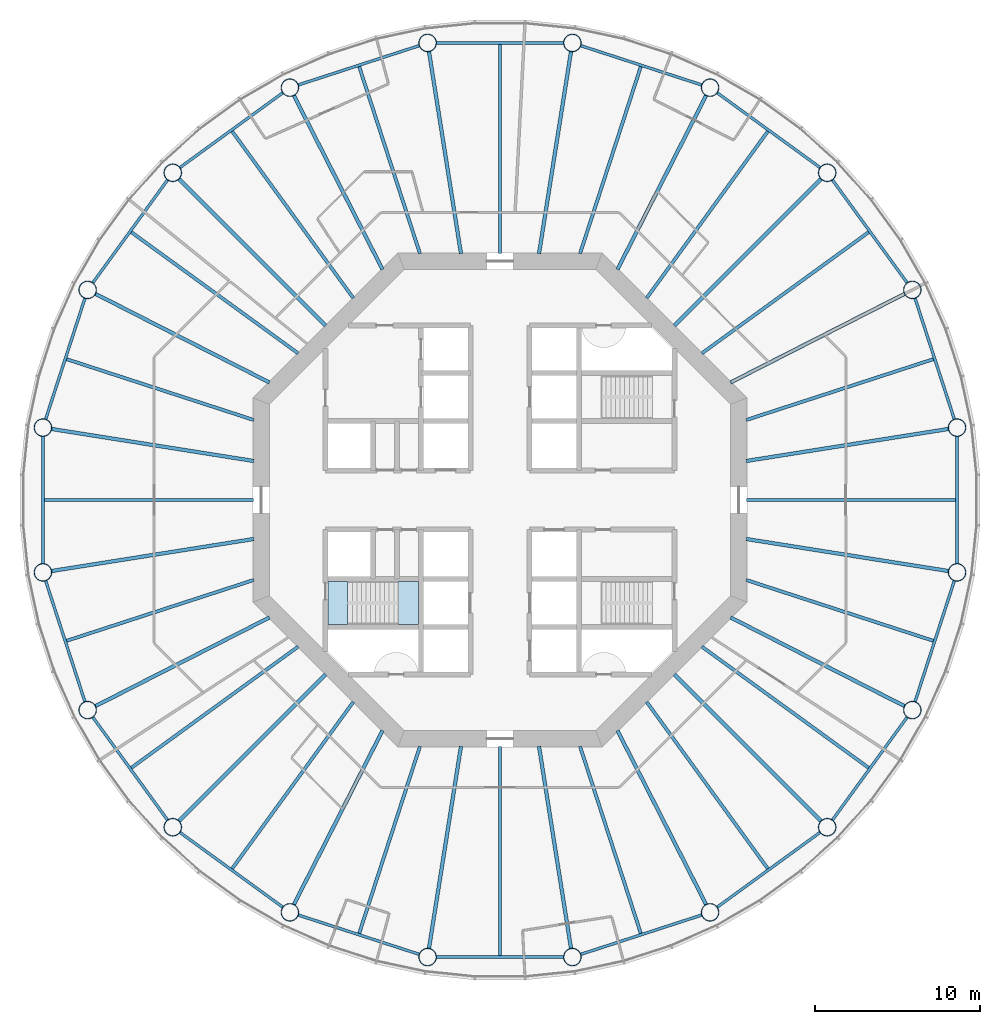
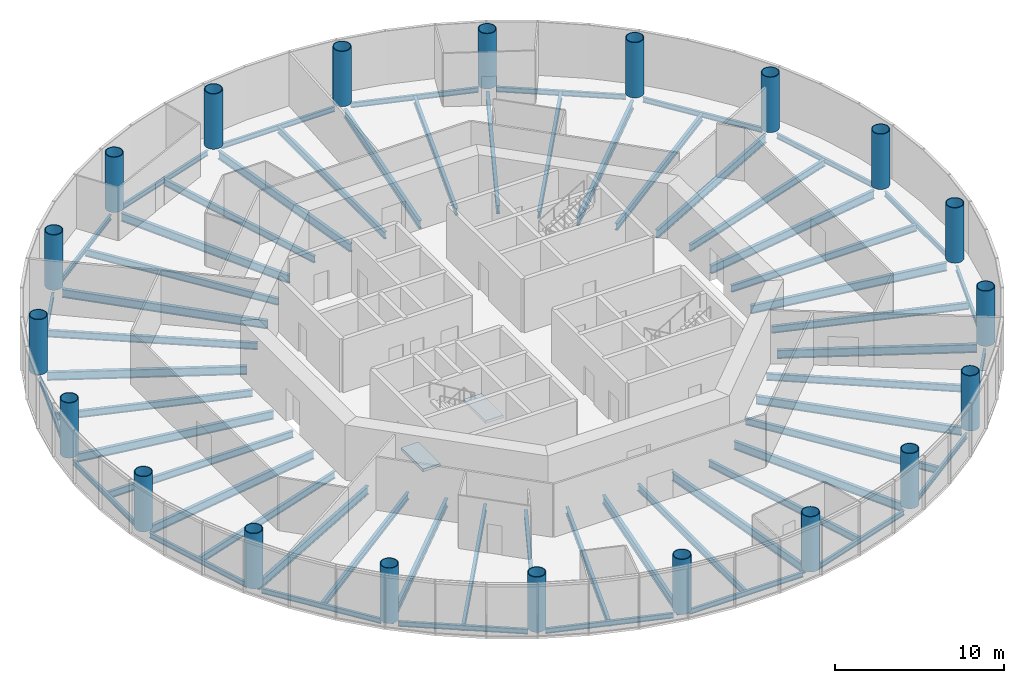
# One storey, part 1 of 13: 60 beams, 20 columns, 2 slabs, 1 element without a shape of its own.
"""IFC4 building model written with IfcOpenShell, lengths in metres."""

from ifc_helpers import new_model, si_unit, direction, frame, origin, origin_2d, place, context, subcontext, project, spatial, polyline, circle, hollow_circle, i_section, outline, extrude, material, layer, layer_set, material_profile, profile_set, type_object, element, aggregate, save


model = new_model("IFC4")

# Units and contexts
model_context = context("Model", 3, precision=1e-05, world=origin(), true_north=direction((0.0, 1.0)))
body_context = subcontext(model_context, "Body", "Model", "MODEL_VIEW")
ifc_project = project(units=[si_unit("LENGTHUNIT", "METRE"), si_unit("AREAUNIT", "SQUARE_METRE"), si_unit("VOLUMEUNIT", "CUBIC_METRE"), si_unit("PLANEANGLEUNIT", "RADIAN"), si_unit("MASSUNIT", "GRAM", prefix="KILO")], contexts=[model_context])

# Site, building, storey
site_placement = place(None, origin())
site = spatial("IfcSite", under=ifc_project, at=site_placement, CompositionType="ELEMENT")
building_placement = place(site_placement, origin())
building = spatial("IfcBuilding", under=site, at=building_placement, Name="Entoto Ring Tower", CompositionType="ELEMENT")
storey_placement = place(building_placement, frame((0.0, 0.0, 156.0)))
storey = spatial("IfcBuildingStorey", under=building, at=storey_placement, Name="L35", CompositionType="ELEMENT", Elevation=156.0)

# Columns
ifc_material_1 = material(Name="Steel S355", Category="steel")
ifc_material_profile_1 = material_profile(ifc_material_1, hollow_circle(Radius=0.550048828125, WallThickness=0.050048828125, at=origin_2d()), Name="CHS 1100 x 50")
ifc_material_2 = material(Name="Concrete C60/75", Category="concrete")
ifc_material_profile_2 = material_profile(ifc_material_2, circle(Radius=0.5, at=origin_2d()), Name="Concrete C60/75 infill")
ifc_profile_set_1 = profile_set([ifc_material_profile_1, ifc_material_profile_2], Name="Steel S355")
column_type = type_object("IfcColumnType", Name="Ring column 1100 x 50 concrete-filled tube", PredefinedType="COLUMN", material=ifc_profile_set_1)
for number, where, z_axis, x_axis, name in (
    (1, (117.754150390625, 84.395751953125, 0.0), (0.0, 0.0, 1.0), (1.0, 0.0, 0.0), "RC3 R01"),
    (2, (115.037353515625, 92.757080078125, 0.0), (0.0, 0.0, 1.0), (1.0, 0.0, 0.0), "RC3 R02"),
    (3, (109.86962890625, 99.86962890625, 0.0), (0.0, 0.0, 1.0), (1.0, 0.0, 0.0), "RC3 R03"),
    (4, (102.757080078125, 105.037353515625, 0.0), (0.0, 0.0, 1.0), (1.0, 0.0, 0.0), "RC3 R04"),
    (5, (94.395751953125, 107.754150390625, 0.0), (0.0, 0.0, 1.0), (1.0, 0.0, 0.0), "RC3 R05"),
    (6, (85.604248046875, 107.754150390625, 0.0), (0.0, 0.0, 1.0), (1.0, 0.0, 0.0), "RC3 R06"),
    (7, (77.242919921875, 105.037353515625, 0.0), (0.0, 0.0, 1.0), (1.0, 0.0, 0.0), "RC3 R07"),
    (8, (70.13037109375, 99.86962890625, 0.0), (0.0, 0.0, 1.0), (1.0, 0.0, 0.0), "RC3 R08"),
    (9, (64.962646484375, 92.757080078125, 0.0), (0.0, 0.0, 1.0), (1.0, 0.0, 0.0), "RC3 R09"),
    (10, (62.245849609375, 84.395751953125, 0.0), (0.0, 0.0, 1.0), (1.0, 0.0, 0.0), "RC3 R10"),
    (11, (62.245849609375, 75.604248046875, 0.0), (0.0, 0.0, 1.0), (1.0, 0.0, 0.0), "RC3 R11"),
    (12, (64.962646484375, 67.242919921875, 0.0), (0.0, 0.0, 1.0), (1.0, 0.0, 0.0), "RC3 R12"),
    (13, (70.13037109375, 60.13037109375, 0.0), (0.0, 0.0, 1.0), (1.0, 0.0, 0.0), "RC3 R13"),
    (14, (77.242919921875, 54.962646484375, 0.0), (0.0, 0.0, 1.0), (1.0, 0.0, 0.0), "RC3 R14"),
    (15, (85.604248046875, 52.245849609375, 0.0), (0.0, 0.0, 1.0), (1.0, 0.0, 0.0), "RC3 R15"),
    (16, (94.395751953125, 52.245849609375, 0.0), (0.0, 0.0, 1.0), (1.0, 0.0, 0.0), "RC3 R16"),
    (17, (102.757080078125, 54.962646484375, 0.0), (0.0, 0.0, 1.0), (1.0, 0.0, 0.0), "RC3 R17"),
    (18, (109.86962890625, 60.13037109375, 0.0), (0.0, 0.0, 1.0), (1.0, 0.0, 0.0), "RC3 R18"),
    (19, (115.037353515625, 67.242919921875, 0.0), (0.0, 0.0, 1.0), (1.0, 0.0, 0.0), "RC3 R19"),
    (20, (117.754150390625, 75.604248046875, 0.0), (0.0, 0.0, 1.0), (1.0, 0.0, 0.0), "RC3 R20"),
):
    element("IfcColumn", number, at=place(storey_placement, frame(where, z_axis=z_axis, x_axis=x_axis)), inside=storey, type_object=column_type, Name=name, PredefinedType="COLUMN", context=body_context, shape_type="SweptSolid", body=[
        extrude(hollow_circle(Radius=0.550048828125, WallThickness=0.050048828125, at=origin_2d()), origin(), (0.0, 0.0, 1.0), 4.0),
    ])

# Beams
ifc_material_3 = material(Name="Steel S355", Category="steel")
ifc_material_profile_3 = material_profile(ifc_material_3, i_section(OverallWidth=0.169921875, OverallDepth=0.360107421875, WebThickness=0.008056640625, FlangeThickness=0.0126953125, FilletRadius=0.01806640625, at=origin_2d()), Name="IPE 360")
ifc_profile_set_2 = profile_set([ifc_material_profile_3], Name="Steel S355")
beam_type_1 = type_object("IfcBeamType", Name="Edge beam IPE 360", PredefinedType="SPANDREL", material=ifc_profile_set_2)
for number, where, z_axis, x_axis, name in (
    (21, (117.59228515625, 84.8935546875, -0.330078125), (-0.309012656105, 0.951057925874, 0.0), (-0.951057925874, -0.309012656105, 0.0), "Edge beam L35 01"),
    (22, (114.729736328125, 93.180419921875, -0.330078125), (-0.587791153253, 0.809012707043, 0.0), (-0.809012707043, -0.587791153253, 0.0), "Edge beam L35 02"),
    (23, (109.4462890625, 100.17724609375, -0.330078125), (-0.809012707043, 0.587791153253, 0.0), (-0.587791153253, -0.809012707043, 0.0), "Edge beam L35 03"),
    (24, (102.259521484375, 105.198974609375, -0.330078125), (-0.951057925874, 0.309012656105, 0.0), (-0.309012656105, -0.951057925874, 0.0), "Edge beam L35 04"),
    (25, (93.87255859375, 107.754150390625, -0.330078125), (-1.0, 0.0, 0.0), (0.0, -1.0, 0.0), "Edge beam L35 05"),
    (26, (85.1064453125, 107.59228515625, -0.330078125), (-0.951057925874, -0.309012656105, 0.0), (0.309012656105, -0.951057925874, 0.0), "Edge beam L35 06"),
    (27, (76.819580078125, 104.729736328125, -0.330078125), (-0.809012707043, -0.587791153253, 0.0), (0.587791153253, -0.809012707043, 0.0), "Edge beam L35 07"),
    (28, (69.82275390625, 99.4462890625, -0.330078125), (-0.587791153253, -0.809012707043, 0.0), (0.809012707043, -0.587791153253, 0.0), "Edge beam L35 08"),
    (29, (64.801025390625, 92.259521484375, -0.330078125), (-0.309012656105, -0.951057925874, 0.0), (0.951057925874, -0.309012656105, 0.0), "Edge beam L35 09"),
    (30, (62.245849609375, 83.87255859375, -0.330078125), (0.0, -1.0, 0.0), (1.0, 0.0, 0.0), "Edge beam L35 10"),
    (31, (62.40771484375, 75.1064453125, -0.330078125), (0.309012656105, -0.951057925874, 0.0), (0.951057925874, 0.309012656105, 0.0), "Edge beam L35 11"),
    (32, (65.270263671875, 66.819580078125, -0.330078125), (0.587791153253, -0.809012707043, 0.0), (0.809012707043, 0.587791153253, 0.0), "Edge beam L35 12"),
    (33, (70.5537109375, 59.82275390625, -0.330078125), (0.809012707043, -0.587791153253, 0.0), (0.587791153253, 0.809012707043, 0.0), "Edge beam L35 13"),
    (34, (77.740478515625, 54.801025390625, -0.330078125), (0.951057925874, -0.309012656105, 0.0), (0.309012656105, 0.951057925874, 0.0), "Edge beam L35 14"),
    (35, (86.12744140625, 52.245849609375, -0.330078125), (1.0, 0.0, 0.0), (0.0, 1.0, 0.0), "Edge beam L35 15"),
    (36, (94.8935546875, 52.40771484375, -0.330078125), (0.951057925874, 0.309012656105, 0.0), (-0.309012656105, 0.951057925874, 0.0), "Edge beam L35 16"),
    (37, (103.180419921875, 55.270263671875, -0.330078125), (0.809012707043, 0.587791153253, 0.0), (-0.587791153253, 0.809012707043, 0.0), "Edge beam L35 17"),
    (38, (110.17724609375, 60.5537109375, -0.330078125), (0.587791153253, 0.809012707043, 0.0), (-0.809012707043, 0.587791153253, 0.0), "Edge beam L35 18"),
    (39, (115.198974609375, 67.740478515625, -0.330078125), (0.309012656105, 0.951057925874, 0.0), (-0.951057925874, 0.309012656105, 0.0), "Edge beam L35 19"),
    (40, (117.754150390625, 76.12744140625, -0.330078125), (0.0, 1.0, 0.0), (-1.0, 0.0, 0.0), "Edge beam L35 20"),
):
    element("IfcBeam", number, at=place(storey_placement, frame(where, z_axis=z_axis, x_axis=x_axis)), inside=storey, type_object=beam_type_1, Name=name, PredefinedType="SPANDREL", context=body_context, shape_type="SweptSolid", body=[
        extrude(i_section(OverallWidth=0.169921875, OverallDepth=0.360107421875, WebThickness=0.008056640625, FlangeThickness=0.0126953125, FilletRadius=0.01806640625, at=origin_2d()), origin(), (0.0, 0.0, 1.0), 7.7451171875),
    ])
ifc_material_4 = material(Name="Steel S355", Category="steel")
ifc_material_profile_4 = material_profile(ifc_material_4, i_section(OverallWidth=0.219970703125, OverallDepth=0.60009765625, WebThickness=0.011962890625, FlangeThickness=0.01904296875, FilletRadius=0.02392578125, at=origin_2d()), Name="IPE 600")
ifc_profile_set_3 = profile_set([ifc_material_profile_4], Name="Steel S355")
beam_type_2 = type_object("IfcBeamType", Name="Primary floor beam IPE 600", PredefinedType="BEAM", material=ifc_profile_set_3)
beam_1_placement = place(storey_placement, frame((104.963134765625, 82.369873046875, -0.449951171875), z_axis=(0.987687213789, 0.156441579247, 0.0), x_axis=(-0.156441579247, 0.987687213789, 0.0)))
element("IfcBeam", 41, at=beam_1_placement, inside=storey, type_object=beam_type_2, Name="Primary L35 R01", PredefinedType="BEAM", context=body_context, shape_type="SweptSolid", body=[
    extrude(i_section(OverallWidth=0.219970703125, OverallDepth=0.60009765625, WebThickness=0.011962890625, FlangeThickness=0.01904296875, FilletRadius=0.02392578125, at=origin_2d()), origin(), (0.0, 0.0, 1.0), 12.431640625),
])
beam_2_placement = place(storey_placement, frame((104.003173828125, 87.135009765625, -0.449951171875), z_axis=(0.891010444609, 0.453982805399, 0.0), x_axis=(-0.453982805399, 0.891010444609, 0.0)))
element("IfcBeam", 42, at=beam_2_placement, inside=storey, type_object=beam_type_2, Name="Primary L35 R02", PredefinedType="BEAM", context=body_context, shape_type="SweptSolid", body=[
    extrude(i_section(OverallWidth=0.219970703125, OverallDepth=0.60009765625, WebThickness=0.011962890625, FlangeThickness=0.01904296875, FilletRadius=0.02392578125, at=origin_2d()), origin(), (0.0, 0.0, 1.0), 11.864990234375),
])
beam_3_placement = place(storey_placement, frame((100.592529296875, 90.592529296875, -0.449951171875), z_axis=(0.707106781187, 0.707106781187, 0.0), x_axis=(-0.707106781187, 0.707106781187, 0.0)))
element("IfcBeam", 43, at=beam_3_placement, inside=storey, type_object=beam_type_2, Name="Primary L35 R03", PredefinedType="BEAM", context=body_context, shape_type="SweptSolid", body=[
    extrude(i_section(OverallWidth=0.219970703125, OverallDepth=0.60009765625, WebThickness=0.011962890625, FlangeThickness=0.01904296875, FilletRadius=0.02392578125, at=origin_2d()), origin(), (0.0, 0.0, 1.0), 12.601318359375),
])
beam_4_placement = place(storey_placement, frame((97.135009765625, 94.003173828125, -0.449951171875), z_axis=(0.453982805399, 0.891010444609, 0.0), x_axis=(-0.891010444609, 0.453982805399, 0.0)))
element("IfcBeam", 44, at=beam_4_placement, inside=storey, type_object=beam_type_2, Name="Primary L35 R04", PredefinedType="BEAM", context=body_context, shape_type="SweptSolid", body=[
    extrude(i_section(OverallWidth=0.219970703125, OverallDepth=0.60009765625, WebThickness=0.011962890625, FlangeThickness=0.01904296875, FilletRadius=0.02392578125, at=origin_2d()), origin(), (0.0, 0.0, 1.0), 11.864990234375),
])
for number, where, z_axis, x_axis, name in (
    (45, (92.369873046875, 94.963134765625, -0.449951171875), (0.156441579247, 0.987687213789, 0.0), (-0.987687213789, 0.156441579247, 0.0), "Primary L35 R05"),
    (46, (87.630126953125, 94.963134765625, -0.449951171875), (-0.156441579247, 0.987687213789, 0.0), (-0.987687213789, -0.156441579247, 0.0), "Primary L35 R06"),
):
    element("IfcBeam", number, at=place(storey_placement, frame(where, z_axis=z_axis, x_axis=x_axis)), inside=storey, type_object=beam_type_2, Name=name, PredefinedType="BEAM", context=body_context, shape_type="SweptSolid", body=[
        extrude(i_section(OverallWidth=0.219970703125, OverallDepth=0.60009765625, WebThickness=0.011962890625, FlangeThickness=0.01904296875, FilletRadius=0.02392578125, at=origin_2d()), origin(), (0.0, 0.0, 1.0), 12.431640625),
    ])
beam_5_placement = place(storey_placement, frame((82.864990234375, 94.003173828125, -0.449951171875), z_axis=(-0.453982805399, 0.891010444609, 0.0), x_axis=(-0.891010444609, -0.453982805399, 0.0)))
element("IfcBeam", 47, at=beam_5_placement, inside=storey, type_object=beam_type_2, Name="Primary L35 R07", PredefinedType="BEAM", context=body_context, shape_type="SweptSolid", body=[
    extrude(i_section(OverallWidth=0.219970703125, OverallDepth=0.60009765625, WebThickness=0.011962890625, FlangeThickness=0.01904296875, FilletRadius=0.02392578125, at=origin_2d()), origin(), (0.0, 0.0, 1.0), 11.864990234375),
])
beam_6_placement = place(storey_placement, frame((79.407470703125, 90.592529296875, -0.449951171875), z_axis=(-0.707106781187, 0.707106781187, 0.0), x_axis=(-0.707106781187, -0.707106781187, 0.0)))
element("IfcBeam", 48, at=beam_6_placement, inside=storey, type_object=beam_type_2, Name="Primary L35 R08", PredefinedType="BEAM", context=body_context, shape_type="SweptSolid", body=[
    extrude(i_section(OverallWidth=0.219970703125, OverallDepth=0.60009765625, WebThickness=0.011962890625, FlangeThickness=0.01904296875, FilletRadius=0.02392578125, at=origin_2d()), origin(), (0.0, 0.0, 1.0), 12.601318359375),
])
beam_7_placement = place(storey_placement, frame((75.996826171875, 87.135009765625, -0.449951171875), z_axis=(-0.891010444609, 0.453982805399, 0.0), x_axis=(-0.453982805399, -0.891010444609, 0.0)))
element("IfcBeam", 49, at=beam_7_placement, inside=storey, type_object=beam_type_2, Name="Primary L35 R09", PredefinedType="BEAM", context=body_context, shape_type="SweptSolid", body=[
    extrude(i_section(OverallWidth=0.219970703125, OverallDepth=0.60009765625, WebThickness=0.011962890625, FlangeThickness=0.01904296875, FilletRadius=0.02392578125, at=origin_2d()), origin(), (0.0, 0.0, 1.0), 11.864990234375),
])
for number, where, z_axis, x_axis, name in (
    (50, (75.036865234375, 82.369873046875, -0.449951171875), (-0.987687213789, 0.156441579247, 0.0), (-0.156441579247, -0.987687213789, 0.0), "Primary L35 R10"),
    (51, (75.036865234375, 77.630126953125, -0.449951171875), (-0.987687213789, -0.156441579247, 0.0), (0.156441579247, -0.987687213789, 0.0), "Primary L35 R11"),
):
    element("IfcBeam", number, at=place(storey_placement, frame(where, z_axis=z_axis, x_axis=x_axis)), inside=storey, type_object=beam_type_2, Name=name, PredefinedType="BEAM", context=body_context, shape_type="SweptSolid", body=[
        extrude(i_section(OverallWidth=0.219970703125, OverallDepth=0.60009765625, WebThickness=0.011962890625, FlangeThickness=0.01904296875, FilletRadius=0.02392578125, at=origin_2d()), origin(), (0.0, 0.0, 1.0), 12.431640625),
    ])
beam_8_placement = place(storey_placement, frame((75.996826171875, 72.864990234375, -0.449951171875), z_axis=(-0.891010444609, -0.453982805399, 0.0), x_axis=(0.453982805399, -0.891010444609, 0.0)))
element("IfcBeam", 52, at=beam_8_placement, inside=storey, type_object=beam_type_2, Name="Primary L35 R12", PredefinedType="BEAM", context=body_context, shape_type="SweptSolid", body=[
    extrude(i_section(OverallWidth=0.219970703125, OverallDepth=0.60009765625, WebThickness=0.011962890625, FlangeThickness=0.01904296875, FilletRadius=0.02392578125, at=origin_2d()), origin(), (0.0, 0.0, 1.0), 11.864990234375),
])
beam_9_placement = place(storey_placement, frame((79.407470703125, 69.407470703125, -0.449951171875), z_axis=(-0.707106781187, -0.707106781187, 0.0), x_axis=(0.707106781187, -0.707106781187, 0.0)))
element("IfcBeam", 53, at=beam_9_placement, inside=storey, type_object=beam_type_2, Name="Primary L35 R13", PredefinedType="BEAM", context=body_context, shape_type="SweptSolid", body=[
    extrude(i_section(OverallWidth=0.219970703125, OverallDepth=0.60009765625, WebThickness=0.011962890625, FlangeThickness=0.01904296875, FilletRadius=0.02392578125, at=origin_2d()), origin(), (0.0, 0.0, 1.0), 12.601318359375),
])
beam_10_placement = place(storey_placement, frame((82.864990234375, 65.996826171875, -0.449951171875), z_axis=(-0.453982805399, -0.891010444609, 0.0), x_axis=(0.891010444609, -0.453982805399, 0.0)))
element("IfcBeam", 54, at=beam_10_placement, inside=storey, type_object=beam_type_2, Name="Primary L35 R14", PredefinedType="BEAM", context=body_context, shape_type="SweptSolid", body=[
    extrude(i_section(OverallWidth=0.219970703125, OverallDepth=0.60009765625, WebThickness=0.011962890625, FlangeThickness=0.01904296875, FilletRadius=0.02392578125, at=origin_2d()), origin(), (0.0, 0.0, 1.0), 11.864990234375),
])
for number, where, z_axis, x_axis, name in (
    (55, (87.630126953125, 65.036865234375, -0.449951171875), (-0.156441579247, -0.987687213789, 0.0), (0.987687213789, -0.156441579247, 0.0), "Primary L35 R15"),
    (56, (92.369873046875, 65.036865234375, -0.449951171875), (0.156441579247, -0.987687213789, 0.0), (0.987687213789, 0.156441579247, 0.0), "Primary L35 R16"),
):
    element("IfcBeam", number, at=place(storey_placement, frame(where, z_axis=z_axis, x_axis=x_axis)), inside=storey, type_object=beam_type_2, Name=name, PredefinedType="BEAM", context=body_context, shape_type="SweptSolid", body=[
        extrude(i_section(OverallWidth=0.219970703125, OverallDepth=0.60009765625, WebThickness=0.011962890625, FlangeThickness=0.01904296875, FilletRadius=0.02392578125, at=origin_2d()), origin(), (0.0, 0.0, 1.0), 12.431640625),
    ])
beam_11_placement = place(storey_placement, frame((97.135009765625, 65.996826171875, -0.449951171875), z_axis=(0.453982805399, -0.891010444609, 0.0), x_axis=(0.891010444609, 0.453982805399, 0.0)))
element("IfcBeam", 57, at=beam_11_placement, inside=storey, type_object=beam_type_2, Name="Primary L35 R17", PredefinedType="BEAM", context=body_context, shape_type="SweptSolid", body=[
    extrude(i_section(OverallWidth=0.219970703125, OverallDepth=0.60009765625, WebThickness=0.011962890625, FlangeThickness=0.01904296875, FilletRadius=0.02392578125, at=origin_2d()), origin(), (0.0, 0.0, 1.0), 11.864990234375),
])
beam_12_placement = place(storey_placement, frame((100.592529296875, 69.407470703125, -0.449951171875), z_axis=(0.707106781187, -0.707106781187, 0.0), x_axis=(0.707106781187, 0.707106781187, 0.0)))
element("IfcBeam", 58, at=beam_12_placement, inside=storey, type_object=beam_type_2, Name="Primary L35 R18", PredefinedType="BEAM", context=body_context, shape_type="SweptSolid", body=[
    extrude(i_section(OverallWidth=0.219970703125, OverallDepth=0.60009765625, WebThickness=0.011962890625, FlangeThickness=0.01904296875, FilletRadius=0.02392578125, at=origin_2d()), origin(), (0.0, 0.0, 1.0), 12.601318359375),
])
beam_13_placement = place(storey_placement, frame((104.003173828125, 72.864990234375, -0.449951171875), z_axis=(0.891010444609, -0.453982805399, 0.0), x_axis=(0.453982805399, 0.891010444609, 0.0)))
element("IfcBeam", 59, at=beam_13_placement, inside=storey, type_object=beam_type_2, Name="Primary L35 R19", PredefinedType="BEAM", context=body_context, shape_type="SweptSolid", body=[
    extrude(i_section(OverallWidth=0.219970703125, OverallDepth=0.60009765625, WebThickness=0.011962890625, FlangeThickness=0.01904296875, FilletRadius=0.02392578125, at=origin_2d()), origin(), (0.0, 0.0, 1.0), 11.864990234375),
])
beam_14_placement = place(storey_placement, frame((104.963134765625, 77.630126953125, -0.449951171875), z_axis=(0.987687213789, -0.156441579247, 0.0), x_axis=(0.156441579247, 0.987687213789, 0.0)))
element("IfcBeam", 60, at=beam_14_placement, inside=storey, type_object=beam_type_2, Name="Primary L35 R20", PredefinedType="BEAM", context=body_context, shape_type="SweptSolid", body=[
    extrude(i_section(OverallWidth=0.219970703125, OverallDepth=0.60009765625, WebThickness=0.011962890625, FlangeThickness=0.01904296875, FilletRadius=0.02392578125, at=origin_2d()), origin(), (0.0, 0.0, 1.0), 12.431640625),
])
ifc_material_5 = material(Name="Steel S355", Category="steel")
ifc_material_profile_5 = material_profile(ifc_material_5, i_section(OverallWidth=0.199951171875, OverallDepth=0.5, WebThickness=0.01025390625, FlangeThickness=0.01611328125, FilletRadius=0.02099609375, at=origin_2d()), Name="IPE 500")
ifc_profile_set_4 = profile_set([ifc_material_profile_5], Name="Steel S355")
beam_type_3 = type_object("IfcBeamType", Name="Secondary floor beam IPE 500", PredefinedType="JOIST", material=ifc_profile_set_4)
beam_15_placement = place(storey_placement, frame((104.9501953125, 84.857666015625, -0.39990234375), z_axis=(0.951056587506, 0.30901677521, 0.0), x_axis=(-0.30901677521, 0.951056587506, 0.0)))
element("IfcBeam", 61, at=beam_15_placement, inside=storey, type_object=beam_type_3, Name="Secondary beam L35 01", PredefinedType="JOIST", context=body_context, shape_type="SweptSolid", body=[
    extrude(i_section(OverallWidth=0.199951171875, OverallDepth=0.5, WebThickness=0.01025390625, FlangeThickness=0.01611328125, FilletRadius=0.02099609375, at=origin_2d()), origin(), (0.0, 0.0, 1.0), 11.94970703125),
])
for number, where, z_axis, x_axis, name in (
    (62, (102.257568359375, 88.905517578125, -0.39990234375), (0.80901431041, 0.587788946436, 0.0), (-0.587788946436, 0.80901431041, 0.0), "Secondary beam L35 02"),
    (63, (98.905517578125, 92.257568359375, -0.39990234375), (0.587788946436, 0.80901431041, 0.0), (-0.80901431041, 0.587788946436, 0.0), "Secondary beam L35 03"),
):
    element("IfcBeam", number, at=place(storey_placement, frame(where, z_axis=z_axis, x_axis=x_axis)), inside=storey, type_object=beam_type_3, Name=name, PredefinedType="JOIST", context=body_context, shape_type="SweptSolid", body=[
        extrude(i_section(OverallWidth=0.199951171875, OverallDepth=0.5, WebThickness=0.01025390625, FlangeThickness=0.01611328125, FilletRadius=0.02099609375, at=origin_2d()), origin(), (0.0, 0.0, 1.0), 12.51806640625),
    ])
beam_16_placement = place(storey_placement, frame((94.857666015625, 94.9501953125, -0.39990234375), z_axis=(0.30901677521, 0.951056587506, 0.0), x_axis=(-0.951056587506, 0.30901677521, 0.0)))
element("IfcBeam", 64, at=beam_16_placement, inside=storey, type_object=beam_type_3, Name="Secondary beam L35 04", PredefinedType="JOIST", context=body_context, shape_type="SweptSolid", body=[
    extrude(i_section(OverallWidth=0.199951171875, OverallDepth=0.5, WebThickness=0.01025390625, FlangeThickness=0.01611328125, FilletRadius=0.02099609375, at=origin_2d()), origin(), (0.0, 0.0, 1.0), 11.94970703125),
])
beam_17_placement = place(storey_placement, frame((90.0, 94.97998046875, -0.39990234375), z_axis=(0.0, 1.0, 0.0), x_axis=(-1.0, 0.0, 0.0)))
element("IfcBeam", 65, at=beam_17_placement, inside=storey, type_object=beam_type_3, Name="Secondary beam L35 05", PredefinedType="JOIST", context=body_context, shape_type="SweptSolid", body=[
    extrude(i_section(OverallWidth=0.199951171875, OverallDepth=0.5, WebThickness=0.01025390625, FlangeThickness=0.01611328125, FilletRadius=0.02099609375, at=origin_2d()), origin(), (0.0, 0.0, 1.0), 12.68896484375),
])
beam_18_placement = place(storey_placement, frame((85.142333984375, 94.9501953125, -0.39990234375), z_axis=(-0.30901677521, 0.951056587506, 0.0), x_axis=(-0.951056587506, -0.30901677521, 0.0)))
element("IfcBeam", 66, at=beam_18_placement, inside=storey, type_object=beam_type_3, Name="Secondary beam L35 06", PredefinedType="JOIST", context=body_context, shape_type="SweptSolid", body=[
    extrude(i_section(OverallWidth=0.199951171875, OverallDepth=0.5, WebThickness=0.01025390625, FlangeThickness=0.01611328125, FilletRadius=0.02099609375, at=origin_2d()), origin(), (0.0, 0.0, 1.0), 11.94970703125),
])
for number, where, z_axis, x_axis, name in (
    (67, (81.094482421875, 92.257568359375, -0.39990234375), (-0.587788946436, 0.80901431041, 0.0), (-0.80901431041, -0.587788946436, 0.0), "Secondary beam L35 07"),
    (68, (77.742431640625, 88.905517578125, -0.39990234375), (-0.80901431041, 0.587788946436, 0.0), (-0.587788946436, -0.80901431041, 0.0), "Secondary beam L35 08"),
):
    element("IfcBeam", number, at=place(storey_placement, frame(where, z_axis=z_axis, x_axis=x_axis)), inside=storey, type_object=beam_type_3, Name=name, PredefinedType="JOIST", context=body_context, shape_type="SweptSolid", body=[
        extrude(i_section(OverallWidth=0.199951171875, OverallDepth=0.5, WebThickness=0.01025390625, FlangeThickness=0.01611328125, FilletRadius=0.02099609375, at=origin_2d()), origin(), (0.0, 0.0, 1.0), 12.51806640625),
    ])
beam_19_placement = place(storey_placement, frame((75.0498046875, 84.857666015625, -0.39990234375), z_axis=(-0.951056587506, 0.30901677521, 0.0), x_axis=(-0.30901677521, -0.951056587506, 0.0)))
element("IfcBeam", 69, at=beam_19_placement, inside=storey, type_object=beam_type_3, Name="Secondary beam L35 09", PredefinedType="JOIST", context=body_context, shape_type="SweptSolid", body=[
    extrude(i_section(OverallWidth=0.199951171875, OverallDepth=0.5, WebThickness=0.01025390625, FlangeThickness=0.01611328125, FilletRadius=0.02099609375, at=origin_2d()), origin(), (0.0, 0.0, 1.0), 11.94970703125),
])
beam_20_placement = place(storey_placement, frame((75.02001953125, 80.0, -0.39990234375), z_axis=(-1.0, 0.0, 0.0), x_axis=(0.0, -1.0, 0.0)))
element("IfcBeam", 70, at=beam_20_placement, inside=storey, type_object=beam_type_3, Name="Secondary beam L35 10", PredefinedType="JOIST", context=body_context, shape_type="SweptSolid", body=[
    extrude(i_section(OverallWidth=0.199951171875, OverallDepth=0.5, WebThickness=0.01025390625, FlangeThickness=0.01611328125, FilletRadius=0.02099609375, at=origin_2d()), origin(), (0.0, 0.0, 1.0), 12.68896484375),
])
beam_21_placement = place(storey_placement, frame((75.0498046875, 75.142333984375, -0.39990234375), z_axis=(-0.951056587506, -0.30901677521, 0.0), x_axis=(0.30901677521, -0.951056587506, 0.0)))
element("IfcBeam", 71, at=beam_21_placement, inside=storey, type_object=beam_type_3, Name="Secondary beam L35 11", PredefinedType="JOIST", context=body_context, shape_type="SweptSolid", body=[
    extrude(i_section(OverallWidth=0.199951171875, OverallDepth=0.5, WebThickness=0.01025390625, FlangeThickness=0.01611328125, FilletRadius=0.02099609375, at=origin_2d()), origin(), (0.0, 0.0, 1.0), 11.94970703125),
])
for number, where, z_axis, x_axis, name in (
    (72, (77.742431640625, 71.094482421875, -0.39990234375), (-0.80901431041, -0.587788946436, 0.0), (0.587788946436, -0.80901431041, 0.0), "Secondary beam L35 12"),
    (73, (81.094482421875, 67.742431640625, -0.39990234375), (-0.587788946436, -0.80901431041, 0.0), (0.80901431041, -0.587788946436, 0.0), "Secondary beam L35 13"),
):
    element("IfcBeam", number, at=place(storey_placement, frame(where, z_axis=z_axis, x_axis=x_axis)), inside=storey, type_object=beam_type_3, Name=name, PredefinedType="JOIST", context=body_context, shape_type="SweptSolid", body=[
        extrude(i_section(OverallWidth=0.199951171875, OverallDepth=0.5, WebThickness=0.01025390625, FlangeThickness=0.01611328125, FilletRadius=0.02099609375, at=origin_2d()), origin(), (0.0, 0.0, 1.0), 12.51806640625),
    ])
beam_22_placement = place(storey_placement, frame((85.142333984375, 65.0498046875, -0.39990234375), z_axis=(-0.30901677521, -0.951056587506, 0.0), x_axis=(0.951056587506, -0.30901677521, 0.0)))
element("IfcBeam", 74, at=beam_22_placement, inside=storey, type_object=beam_type_3, Name="Secondary beam L35 14", PredefinedType="JOIST", context=body_context, shape_type="SweptSolid", body=[
    extrude(i_section(OverallWidth=0.199951171875, OverallDepth=0.5, WebThickness=0.01025390625, FlangeThickness=0.01611328125, FilletRadius=0.02099609375, at=origin_2d()), origin(), (0.0, 0.0, 1.0), 11.94970703125),
])
beam_23_placement = place(storey_placement, frame((90.0, 65.02001953125, -0.39990234375), z_axis=(0.0, -1.0, 0.0), x_axis=(1.0, 0.0, 0.0)))
element("IfcBeam", 75, at=beam_23_placement, inside=storey, type_object=beam_type_3, Name="Secondary beam L35 15", PredefinedType="JOIST", context=body_context, shape_type="SweptSolid", body=[
    extrude(i_section(OverallWidth=0.199951171875, OverallDepth=0.5, WebThickness=0.01025390625, FlangeThickness=0.01611328125, FilletRadius=0.02099609375, at=origin_2d()), origin(), (0.0, 0.0, 1.0), 12.68896484375),
])
beam_24_placement = place(storey_placement, frame((94.857666015625, 65.0498046875, -0.39990234375), z_axis=(0.30901677521, -0.951056587506, 0.0), x_axis=(0.951056587506, 0.30901677521, 0.0)))
element("IfcBeam", 76, at=beam_24_placement, inside=storey, type_object=beam_type_3, Name="Secondary beam L35 16", PredefinedType="JOIST", context=body_context, shape_type="SweptSolid", body=[
    extrude(i_section(OverallWidth=0.199951171875, OverallDepth=0.5, WebThickness=0.01025390625, FlangeThickness=0.01611328125, FilletRadius=0.02099609375, at=origin_2d()), origin(), (0.0, 0.0, 1.0), 11.94970703125),
])
for number, where, z_axis, x_axis, name in (
    (77, (98.905517578125, 67.742431640625, -0.39990234375), (0.587788946436, -0.80901431041, 0.0), (0.80901431041, 0.587788946436, 0.0), "Secondary beam L35 17"),
    (78, (102.257568359375, 71.094482421875, -0.39990234375), (0.80901431041, -0.587788946436, 0.0), (0.587788946436, 0.80901431041, 0.0), "Secondary beam L35 18"),
):
    element("IfcBeam", number, at=place(storey_placement, frame(where, z_axis=z_axis, x_axis=x_axis)), inside=storey, type_object=beam_type_3, Name=name, PredefinedType="JOIST", context=body_context, shape_type="SweptSolid", body=[
        extrude(i_section(OverallWidth=0.199951171875, OverallDepth=0.5, WebThickness=0.01025390625, FlangeThickness=0.01611328125, FilletRadius=0.02099609375, at=origin_2d()), origin(), (0.0, 0.0, 1.0), 12.51806640625),
    ])
beam_25_placement = place(storey_placement, frame((104.9501953125, 75.142333984375, -0.39990234375), z_axis=(0.951056587506, -0.30901677521, 0.0), x_axis=(0.30901677521, 0.951056587506, 0.0)))
element("IfcBeam", 79, at=beam_25_placement, inside=storey, type_object=beam_type_3, Name="Secondary beam L35 19", PredefinedType="JOIST", context=body_context, shape_type="SweptSolid", body=[
    extrude(i_section(OverallWidth=0.199951171875, OverallDepth=0.5, WebThickness=0.01025390625, FlangeThickness=0.01611328125, FilletRadius=0.02099609375, at=origin_2d()), origin(), (0.0, 0.0, 1.0), 11.94970703125),
])
beam_26_placement = place(storey_placement, frame((104.97998046875, 80.0, -0.39990234375), z_axis=(1.0, 0.0, 0.0), x_axis=(0.0, 1.0, 0.0)))
element("IfcBeam", 80, at=beam_26_placement, inside=storey, type_object=beam_type_3, Name="Secondary beam L35 20", PredefinedType="JOIST", context=body_context, shape_type="SweptSolid", body=[
    extrude(i_section(OverallWidth=0.199951171875, OverallDepth=0.5, WebThickness=0.01025390625, FlangeThickness=0.01611328125, FilletRadius=0.02099609375, at=origin_2d()), origin(), (0.0, 0.0, 1.0), 12.68896484375),
])

# Stair, slabs
ifc_material_6 = material(Name="Concrete C40/50", Category="concrete")
stair_type = type_object("IfcStairType", Name="Exit stair 1200 mm dog-leg reinforced concrete", PredefinedType="HALF_TURN_STAIR", material=ifc_material_6)
stair_placement = place(storey_placement, origin())
stair = element("IfcStair", 81, at=stair_placement, inside=storey, type_object=stair_type, Name="Exit stair 2", PredefinedType="HALF_TURN_STAIR")
ifc_material_7 = material(Name="Concrete C40/50", Category="concrete")
ifc_layer = layer(ifc_material_7, 0.199951171875)
ifc_layer_set = layer_set([ifc_layer], Name="Concrete C40/50")
slab_type = type_object("IfcSlabType", Name="Stair landing 200 mm reinforced concrete", PredefinedType="LANDING", material=ifc_layer_set)
slab_1_placement = place(storey_placement, frame((0.0, 0.0, -0.199951171875)))
slab_1 = element("IfcSlab", 82, at=slab_1_placement, type_object=slab_type, Name="ST2 landing 1", PredefinedType="LANDING", context=body_context, shape_type="SweptSolid", body=[
    extrude(outline(polyline([(80.75, 72.449951171875), (80.75, 75.050048828125), (79.550048828125, 75.050048828125), (79.550048828125, 72.449951171875), (80.75, 72.449951171875)])), origin(), (0.0, 0.0, 1.0), 0.199951171875),
])
slab_2_placement = place(storey_placement, frame((0.0, 0.0, 1.800048828125)))
slab_2 = element("IfcSlab", 83, at=slab_2_placement, type_object=slab_type, Name="ST2 landing 2", PredefinedType="LANDING", context=body_context, shape_type="SweptSolid", body=[
    extrude(outline(polyline([(83.830078125, 72.449951171875), (85.050048828125, 72.449951171875), (85.050048828125, 75.050048828125), (83.830078125, 75.050048828125), (83.830078125, 72.449951171875)])), origin(), (0.0, 0.0, 1.0), 0.199951171875),
])
aggregate(stair, [slab_1, slab_2])

save(model, "model.ifc")
